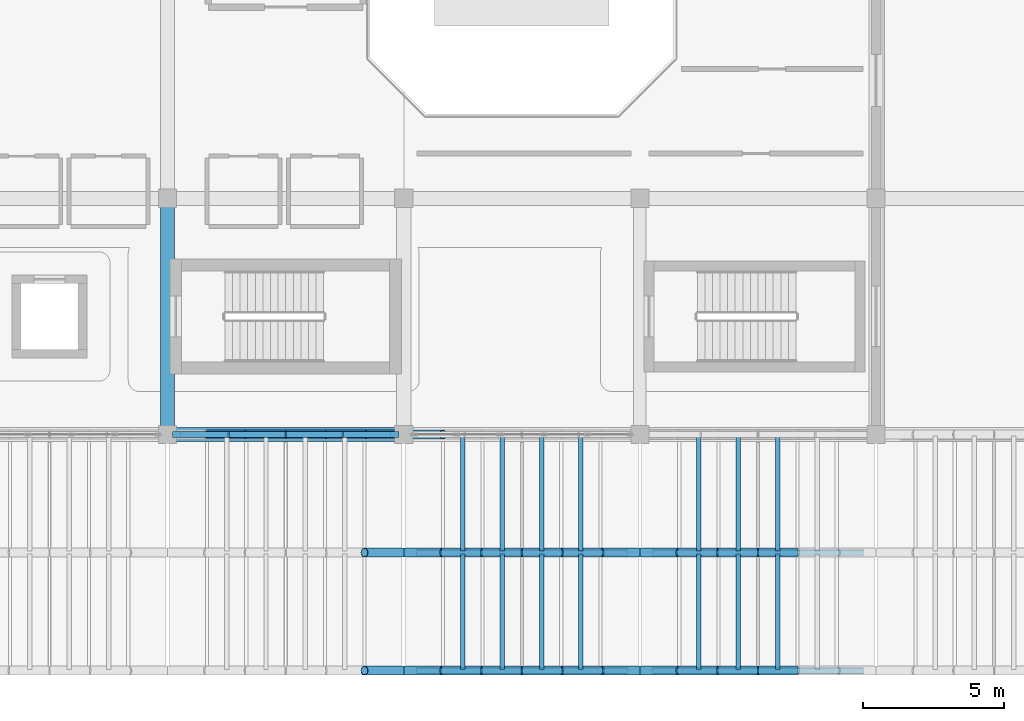
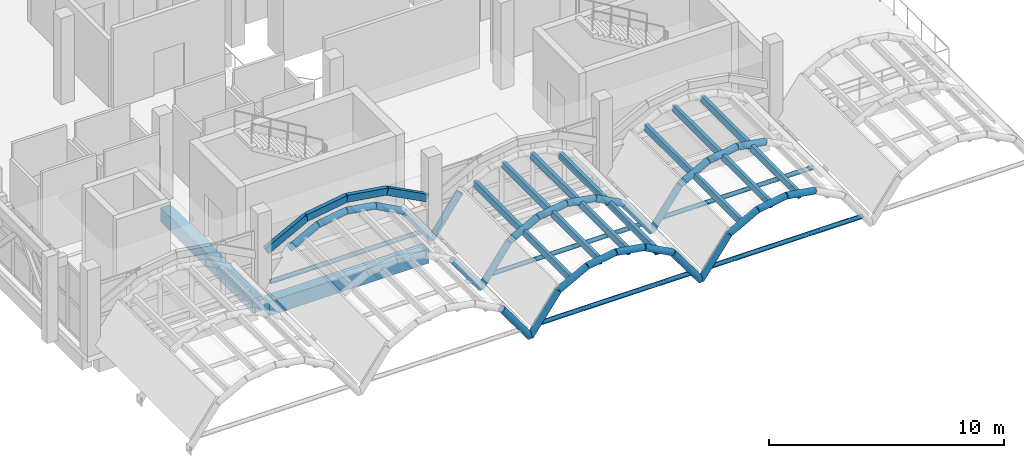
# One storey, part 3 of 22: 35 beams, 18 members.
"""IFC4 building model written with IfcOpenShell, lengths in metres."""

from ifc_helpers import new_model, si_unit, direction, frame, origin, origin_2d, place, context, subcontext, project, spatial, rectangle, hollow_circle, extrude, material, material_profile, profile_set, type_object, element, save


model = new_model("IFC4")

# Units and contexts
model_context = context("Model", 3, precision=1e-05, world=origin(), true_north=direction((0.0, 1.0)))
body_context = subcontext(model_context, "Body", "Model", "MODEL_VIEW")
ifc_project = project(units=[si_unit("LENGTHUNIT", "METRE"), si_unit("AREAUNIT", "SQUARE_METRE"), si_unit("VOLUMEUNIT", "CUBIC_METRE"), si_unit("PLANEANGLEUNIT", "RADIAN"), si_unit("MASSUNIT", "GRAM", prefix="KILO")], contexts=[model_context])

# Site, building, storey
site_placement = place(None, origin())
site = spatial("IfcSite", under=ifc_project, at=site_placement, CompositionType="ELEMENT")
building_placement = place(site_placement, origin())
building = spatial("IfcBuilding", under=site, at=building_placement, Name="Xazarin Passage Department Store", CompositionType="ELEMENT")
storey_placement = place(building_placement, frame((0.0, 0.0, 27.89990234375)))
storey = spatial("IfcBuildingStorey", under=building, at=storey_placement, Name="L06", CompositionType="ELEMENT", Elevation=27.89990234375)

# Beams
ifc_material_1 = material(Name="Steel S355", Category="steel")
ifc_material_profile_1 = material_profile(ifc_material_1, hollow_circle(Radius=0.161865234375, WallThickness=0.01611328125, at=origin_2d()), Name="CHS 323.9x16")
ifc_profile_set_1 = profile_set([ifc_material_profile_1], Name="Steel S355")
beam_type_1 = type_object("IfcBeamType", Name="STR-BM-AR324", PredefinedType="BEAM", material=ifc_profile_set_1)
for number, where, z_axis, x_axis, name in (
    (1, (15.39990234375, 68.0, 1.92041015625), (0.589130239798, 0.0, -0.808038093505), (0.0, 1.0, 0.0), "L06 V1S Curved Shell Arch Rib 2.1.6"),
    (2, (15.39990234375, 72.199951171875, 1.92041015625), (0.589130239798, 0.0, -0.808038093505), (0.0, 1.0, 0.0), "L06 V1S Curved Shell Arch Rib 2.2.6"),
):
    element("IfcBeam", number, at=place(storey_placement, frame(where, z_axis=z_axis, x_axis=x_axis)), inside=storey, type_object=beam_type_1, Name=name, PredefinedType="BEAM", context=body_context, shape_type="SweptSolid", body=[
        extrude(hollow_circle(Radius=0.161865234375, WallThickness=0.01611328125, at=origin_2d()), origin(), (0.0, 0.0, 1.0), 2.376708984375),
    ])
beam_1_placement = place(storey_placement, frame((9.800048828125, 76.39990234375, 1.92041015625), z_axis=(0.879928493742, 0.0, 0.475106141721), x_axis=(0.0, 1.0, 0.0)))
element("IfcBeam", 3, at=beam_1_placement, inside=storey, type_object=beam_type_1, Name="L06 V1S Curved Shell Arch Rib 2.3.2", PredefinedType="BEAM", context=body_context, shape_type="SweptSolid", body=[
    extrude(hollow_circle(Radius=0.161865234375, WallThickness=0.01611328125, at=origin_2d()), origin(), (0.0, 0.0, 1.0), 1.5908203125),
])
beam_2_placement = place(storey_placement, frame((11.199951171875, 76.39990234375, 2.67626953125), z_axis=(0.987456743544, 0.0, 0.157889770502), x_axis=(0.0, 1.0, 0.0)))
element("IfcBeam", 4, at=beam_2_placement, inside=storey, type_object=beam_type_1, Name="L06 V1S Curved Shell Arch Rib 2.3.3", PredefinedType="BEAM", context=body_context, shape_type="SweptSolid", body=[
    extrude(hollow_circle(Radius=0.161865234375, WallThickness=0.01611328125, at=origin_2d()), origin(), (0.0, 0.0, 1.0), 1.41796875),
])
beam_3_placement = place(storey_placement, frame((12.60009765625, 76.39990234375, 2.900146484375), z_axis=(0.987452450124, 0.0, -0.157916619596), x_axis=(0.0, 1.0, 0.0)))
element("IfcBeam", 5, at=beam_3_placement, inside=storey, type_object=beam_type_1, Name="L06 V1S Curved Shell Arch Rib 2.3.4", PredefinedType="BEAM", context=body_context, shape_type="SweptSolid", body=[
    extrude(hollow_circle(Radius=0.161865234375, WallThickness=0.01611328125, at=origin_2d()), origin(), (0.0, 0.0, 1.0), 1.417724609375),
])
beam_4_placement = place(storey_placement, frame((14.0, 76.39990234375, 2.67626953125), z_axis=(0.879928493742, 0.0, -0.475106141721), x_axis=(0.0, 1.0, 0.0)))
element("IfcBeam", 6, at=beam_4_placement, inside=storey, type_object=beam_type_1, Name="L06 V1S Curved Shell Arch Rib 2.3.5", PredefinedType="BEAM", context=body_context, shape_type="SweptSolid", body=[
    extrude(hollow_circle(Radius=0.161865234375, WallThickness=0.01611328125, at=origin_2d()), origin(), (0.0, 0.0, 1.0), 1.5908203125),
])
beam_5_placement = place(storey_placement, frame((15.39990234375, 76.39990234375, 1.92041015625), z_axis=(0.589130239798, 0.0, -0.808038093505), x_axis=(0.0, 1.0, 0.0)))
element("IfcBeam", 7, at=beam_5_placement, inside=storey, type_object=beam_type_1, Name="L06 V1S Curved Shell Arch Rib 2.3.6", PredefinedType="BEAM", context=body_context, shape_type="SweptSolid", body=[
    extrude(hollow_circle(Radius=0.161865234375, WallThickness=0.01611328125, at=origin_2d()), origin(), (0.0, 0.0, 1.0), 2.376708984375),
])
beam_6_placement = place(storey_placement, frame((16.800048828125, 68.0, 0.0), z_axis=(0.589063161662, 0.0, 0.808086995053), x_axis=(0.0, 1.0, 0.0)))
element("IfcBeam", 8, at=beam_6_placement, inside=storey, type_object=beam_type_1, Name="L06 V1S Curved Shell Arch Rib 3.1.1", PredefinedType="BEAM", context=body_context, shape_type="SweptSolid", body=[
    extrude(hollow_circle(Radius=0.161865234375, WallThickness=0.01611328125, at=origin_2d()), origin(), (0.0, 0.0, 1.0), 2.37646484375),
])
beam_7_placement = place(storey_placement, frame((18.199951171875, 68.0, 1.92041015625), z_axis=(0.879963126177, 0.0, 0.475041994532), x_axis=(0.0, 1.0, 0.0)))
element("IfcBeam", 9, at=beam_7_placement, inside=storey, type_object=beam_type_1, Name="L06 V1S Curved Shell Arch Rib 3.1.2", PredefinedType="BEAM", context=body_context, shape_type="SweptSolid", body=[
    extrude(hollow_circle(Radius=0.161865234375, WallThickness=0.01611328125, at=origin_2d()), origin(), (0.0, 0.0, 1.0), 1.591064453125),
])
for number, where, z_axis, x_axis, name in (
    (10, (19.60009765625, 68.0, 2.67626953125), (0.987452450124, 0.0, 0.157916619596), (0.0, 1.0, 0.0), "L06 V1S Curved Shell Arch Rib 3.1.3"),
    (11, (21.0, 68.0, 2.900146484375), (0.987452450124, 0.0, -0.157916619596), (0.0, 1.0, 0.0), "L06 V1S Curved Shell Arch Rib 3.1.4"),
):
    element("IfcBeam", number, at=place(storey_placement, frame(where, z_axis=z_axis, x_axis=x_axis)), inside=storey, type_object=beam_type_1, Name=name, PredefinedType="BEAM", context=body_context, shape_type="SweptSolid", body=[
        extrude(hollow_circle(Radius=0.161865234375, WallThickness=0.01611328125, at=origin_2d()), origin(), (0.0, 0.0, 1.0), 1.417724609375),
    ])
beam_8_placement = place(storey_placement, frame((22.39990234375, 68.0, 2.67626953125), z_axis=(0.879963126177, 0.0, -0.475041994532), x_axis=(0.0, 1.0, 0.0)))
element("IfcBeam", 12, at=beam_8_placement, inside=storey, type_object=beam_type_1, Name="L06 V1S Curved Shell Arch Rib 3.1.5", PredefinedType="BEAM", context=body_context, shape_type="SweptSolid", body=[
    extrude(hollow_circle(Radius=0.161865234375, WallThickness=0.01611328125, at=origin_2d()), origin(), (0.0, 0.0, 1.0), 1.591064453125),
])
for number, where, z_axis, x_axis, name in (
    (13, (23.800048828125, 68.0, 1.92041015625), (0.589063161662, 0.0, -0.808086995053), (0.0, 1.0, 0.0), "L06 V1S Curved Shell Arch Rib 3.1.6"),
    (14, (16.800048828125, 72.199951171875, 0.0), (0.589063161662, 0.0, 0.808086995053), (0.0, 1.0, 0.0), "L06 V1S Curved Shell Arch Rib 3.2.1"),
):
    element("IfcBeam", number, at=place(storey_placement, frame(where, z_axis=z_axis, x_axis=x_axis)), inside=storey, type_object=beam_type_1, Name=name, PredefinedType="BEAM", context=body_context, shape_type="SweptSolid", body=[
        extrude(hollow_circle(Radius=0.161865234375, WallThickness=0.01611328125, at=origin_2d()), origin(), (0.0, 0.0, 1.0), 2.37646484375),
    ])
beam_9_placement = place(storey_placement, frame((18.199951171875, 72.199951171875, 1.92041015625), z_axis=(0.879963126177, 0.0, 0.475041994532), x_axis=(0.0, 1.0, 0.0)))
element("IfcBeam", 15, at=beam_9_placement, inside=storey, type_object=beam_type_1, Name="L06 V1S Curved Shell Arch Rib 3.2.2", PredefinedType="BEAM", context=body_context, shape_type="SweptSolid", body=[
    extrude(hollow_circle(Radius=0.161865234375, WallThickness=0.01611328125, at=origin_2d()), origin(), (0.0, 0.0, 1.0), 1.591064453125),
])
for number, where, z_axis, x_axis, name in (
    (16, (19.60009765625, 72.199951171875, 2.67626953125), (0.987452450124, 0.0, 0.157916619596), (0.0, 1.0, 0.0), "L06 V1S Curved Shell Arch Rib 3.2.3"),
    (17, (21.0, 72.199951171875, 2.900146484375), (0.987452450124, 0.0, -0.157916619596), (0.0, 1.0, 0.0), "L06 V1S Curved Shell Arch Rib 3.2.4"),
):
    element("IfcBeam", number, at=place(storey_placement, frame(where, z_axis=z_axis, x_axis=x_axis)), inside=storey, type_object=beam_type_1, Name=name, PredefinedType="BEAM", context=body_context, shape_type="SweptSolid", body=[
        extrude(hollow_circle(Radius=0.161865234375, WallThickness=0.01611328125, at=origin_2d()), origin(), (0.0, 0.0, 1.0), 1.417724609375),
    ])
beam_10_placement = place(storey_placement, frame((22.39990234375, 72.199951171875, 2.67626953125), z_axis=(0.879963126177, 0.0, -0.475041994532), x_axis=(0.0, 1.0, 0.0)))
element("IfcBeam", 18, at=beam_10_placement, inside=storey, type_object=beam_type_1, Name="L06 V1S Curved Shell Arch Rib 3.2.5", PredefinedType="BEAM", context=body_context, shape_type="SweptSolid", body=[
    extrude(hollow_circle(Radius=0.161865234375, WallThickness=0.01611328125, at=origin_2d()), origin(), (0.0, 0.0, 1.0), 1.591064453125),
])
for number, where, z_axis, x_axis, name in (
    (19, (23.800048828125, 72.199951171875, 1.92041015625), (0.589063161662, 0.0, -0.808086995053), (0.0, 1.0, 0.0), "L06 V1S Curved Shell Arch Rib 3.2.6"),
    (20, (16.800048828125, 76.39990234375, 0.0), (0.589063161662, 0.0, 0.808086995053), (0.0, 1.0, 0.0), "L06 V1S Curved Shell Arch Rib 3.3.1"),
):
    element("IfcBeam", number, at=place(storey_placement, frame(where, z_axis=z_axis, x_axis=x_axis)), inside=storey, type_object=beam_type_1, Name=name, PredefinedType="BEAM", context=body_context, shape_type="SweptSolid", body=[
        extrude(hollow_circle(Radius=0.161865234375, WallThickness=0.01611328125, at=origin_2d()), origin(), (0.0, 0.0, 1.0), 2.37646484375),
    ])
beam_11_placement = place(storey_placement, frame((25.199951171875, 68.0, 0.0), z_axis=(0.589130239798, 0.0, 0.808038093505), x_axis=(0.0, 1.0, 0.0)))
element("IfcBeam", 21, at=beam_11_placement, inside=storey, type_object=beam_type_1, Name="L06 V1S Curved Shell Arch Rib 4.1.1", PredefinedType="BEAM", context=body_context, shape_type="SweptSolid", body=[
    extrude(hollow_circle(Radius=0.161865234375, WallThickness=0.01611328125, at=origin_2d()), origin(), (0.0, 0.0, 1.0), 2.376708984375),
])
beam_12_placement = place(storey_placement, frame((26.60009765625, 68.0, 1.92041015625), z_axis=(0.879928493742, 0.0, 0.475106141721), x_axis=(0.0, 1.0, 0.0)))
element("IfcBeam", 22, at=beam_12_placement, inside=storey, type_object=beam_type_1, Name="L06 V1S Curved Shell Arch Rib 4.1.2", PredefinedType="BEAM", context=body_context, shape_type="SweptSolid", body=[
    extrude(hollow_circle(Radius=0.161865234375, WallThickness=0.01611328125, at=origin_2d()), origin(), (0.0, 0.0, 1.0), 1.5908203125),
])
beam_13_placement = place(storey_placement, frame((28.0, 68.0, 2.67626953125), z_axis=(0.987452450124, 0.0, 0.157916619596), x_axis=(0.0, 1.0, 0.0)))
element("IfcBeam", 23, at=beam_13_placement, inside=storey, type_object=beam_type_1, Name="L06 V1S Curved Shell Arch Rib 4.1.3", PredefinedType="BEAM", context=body_context, shape_type="SweptSolid", body=[
    extrude(hollow_circle(Radius=0.161865234375, WallThickness=0.01611328125, at=origin_2d()), origin(), (0.0, 0.0, 1.0), 1.417724609375),
])
beam_14_placement = place(storey_placement, frame((29.39990234375, 68.0, 2.900146484375), z_axis=(0.987456743544, 0.0, -0.157889770502), x_axis=(0.0, 1.0, 0.0)))
element("IfcBeam", 24, at=beam_14_placement, inside=storey, type_object=beam_type_1, Name="L06 V1S Curved Shell Arch Rib 4.1.4", PredefinedType="BEAM", context=body_context, shape_type="SweptSolid", body=[
    extrude(hollow_circle(Radius=0.161865234375, WallThickness=0.01611328125, at=origin_2d()), origin(), (0.0, 0.0, 1.0), 1.41796875),
])
beam_15_placement = place(storey_placement, frame((25.199951171875, 72.199951171875, 0.0), z_axis=(0.589130239798, 0.0, 0.808038093505), x_axis=(0.0, 1.0, 0.0)))
element("IfcBeam", 25, at=beam_15_placement, inside=storey, type_object=beam_type_1, Name="L06 V1S Curved Shell Arch Rib 4.2.1", PredefinedType="BEAM", context=body_context, shape_type="SweptSolid", body=[
    extrude(hollow_circle(Radius=0.161865234375, WallThickness=0.01611328125, at=origin_2d()), origin(), (0.0, 0.0, 1.0), 2.376708984375),
])
beam_16_placement = place(storey_placement, frame((26.60009765625, 72.199951171875, 1.92041015625), z_axis=(0.879928493742, 0.0, 0.475106141721), x_axis=(0.0, 1.0, 0.0)))
element("IfcBeam", 26, at=beam_16_placement, inside=storey, type_object=beam_type_1, Name="L06 V1S Curved Shell Arch Rib 4.2.2", PredefinedType="BEAM", context=body_context, shape_type="SweptSolid", body=[
    extrude(hollow_circle(Radius=0.161865234375, WallThickness=0.01611328125, at=origin_2d()), origin(), (0.0, 0.0, 1.0), 1.5908203125),
])
beam_17_placement = place(storey_placement, frame((28.0, 72.199951171875, 2.67626953125), z_axis=(0.987452450124, 0.0, 0.157916619596), x_axis=(0.0, 1.0, 0.0)))
element("IfcBeam", 27, at=beam_17_placement, inside=storey, type_object=beam_type_1, Name="L06 V1S Curved Shell Arch Rib 4.2.3", PredefinedType="BEAM", context=body_context, shape_type="SweptSolid", body=[
    extrude(hollow_circle(Radius=0.161865234375, WallThickness=0.01611328125, at=origin_2d()), origin(), (0.0, 0.0, 1.0), 1.417724609375),
])
beam_18_placement = place(storey_placement, frame((29.39990234375, 72.199951171875, 2.900146484375), z_axis=(0.987456743544, 0.0, -0.157889770502), x_axis=(0.0, 1.0, 0.0)))
element("IfcBeam", 28, at=beam_18_placement, inside=storey, type_object=beam_type_1, Name="L06 V1S Curved Shell Arch Rib 4.2.4", PredefinedType="BEAM", context=body_context, shape_type="SweptSolid", body=[
    extrude(hollow_circle(Radius=0.161865234375, WallThickness=0.01611328125, at=origin_2d()), origin(), (0.0, 0.0, 1.0), 1.41796875),
])
ifc_material_2 = material(Name="Concrete C35/45", Category="concrete")
ifc_material_profile_2 = material_profile(ifc_material_2, rectangle(XDim=0.5, YDim=0.75, at=origin_2d()), Name="RC 500x750")
ifc_profile_set_2 = profile_set([ifc_material_profile_2], Name="Concrete C35/45")
beam_type_2 = type_object("IfcBeamType", Name="STR-BM-SP500x750", PredefinedType="SPANDREL", material=ifc_profile_set_2)
for number, where, z_axis, x_axis, name in (
    (29, (8.679931640625, 76.39990234375, -0.6748046875), (1.0, 0.0, 0.0), (0.0, 1.0, 0.0), "L06 Grid Beam L/2-3"),
    (30, (8.39990234375, 76.679931640625, -0.6748046875), (0.0, 1.0, 0.0), (-1.0, 0.0, 0.0), "L06 Grid Beam 2/L-M"),
):
    element("IfcBeam", number, at=place(storey_placement, frame(where, z_axis=z_axis, x_axis=x_axis)), inside=storey, type_object=beam_type_2, Name=name, PredefinedType="SPANDREL", context=body_context, shape_type="SweptSolid", body=[
        extrude(rectangle(XDim=0.5, YDim=0.75, at=origin_2d()), origin(), (0.0, 0.0, 1.0), 7.840087890625),
    ])
ifc_material_profile_3 = material_profile(ifc_material_1, hollow_circle(Radius=0.109619140625, WallThickness=0.012451171875, at=origin_2d()), Name="CHS 219.1x12.5")
ifc_profile_set_3 = profile_set([ifc_material_profile_3], Name="Steel S355")
beam_type_3 = type_object("IfcBeamType", Name="STR-BM-TIE219", PredefinedType="BEAM", material=ifc_profile_set_3)
for number, where, z_axis, x_axis, name in (
    (31, (8.85009765625, 76.39990234375, 0.52001953125), (1.0, 0.0, 0.0), (0.0, 1.0, 0.0), "L06 V1S Barrel Shell Tie 2.3"),
    (32, (17.25, 68.0, 0.52001953125), (1.0, 0.0, 0.0), (0.0, 1.0, 0.0), "L06 V1S Barrel Shell Tie 3.1"),
    (33, (17.25, 72.199951171875, 0.52001953125), (1.0, 0.0, 0.0), (0.0, 1.0, 0.0), "L06 V1S Barrel Shell Tie 3.2"),
    (34, (25.64990234375, 68.0, 0.52001953125), (1.0, 0.0, 0.0), (0.0, 1.0, 0.0), "L06 V1S Barrel Shell Tie 4.1"),
    (35, (25.64990234375, 72.199951171875, 0.52001953125), (1.0, 0.0, 0.0), (0.0, 1.0, 0.0), "L06 V1S Barrel Shell Tie 4.2"),
):
    element("IfcBeam", number, at=place(storey_placement, frame(where, z_axis=z_axis, x_axis=x_axis)), inside=storey, type_object=beam_type_3, Name=name, PredefinedType="BEAM", context=body_context, shape_type="SweptSolid", body=[
        extrude(hollow_circle(Radius=0.109619140625, WallThickness=0.012451171875, at=origin_2d()), origin(), (0.0, 0.0, 1.0), 7.5),
    ])

# Members
ifc_material_3 = material(Name="Concrete C40/50", Category="concrete")
ifc_material_profile_4 = material_profile(ifc_material_3, rectangle(XDim=0.199951171875, YDim=0.360107421875, at=origin_2d()), Name="RC 200x360")
ifc_profile_set_4 = profile_set([ifc_material_profile_4], Name="Concrete C40/50")
member_type_1 = type_object("IfcMemberType", Name="STR-MEM-ARC360", PredefinedType="CHORD", material=ifc_profile_set_4)
member_1_placement = place(storey_placement, frame((8.64990234375, 76.39990234375, 2.22998046875), z_axis=(0.88473311603, 0.0, 0.466097965454), x_axis=(0.0, 1.0, 0.0)))
element("IfcMember", 36, at=member_1_placement, inside=storey, type_object=member_type_1, Name="L06 V1 Upper Setback Pierced Arch 038.1", PredefinedType="CHORD", context=body_context, shape_type="SweptSolid", body=[
    extrude(rectangle(XDim=0.199951171875, YDim=0.360107421875, at=origin_2d()), origin(), (0.0, 0.0, 1.0), 2.232421875),
])
member_2_placement = place(storey_placement, frame((10.625, 76.39990234375, 3.2705078125), z_axis=(0.987938581312, 0.0, 0.154846244883), x_axis=(0.0, 1.0, 0.0)))
element("IfcMember", 37, at=member_2_placement, inside=storey, type_object=member_type_1, Name="L06 V1 Upper Setback Pierced Arch 038.2", PredefinedType="CHORD", context=body_context, shape_type="SweptSolid", body=[
    extrude(rectangle(XDim=0.199951171875, YDim=0.360107421875, at=origin_2d()), origin(), (0.0, 0.0, 1.0), 1.999267578125),
])
member_3_placement = place(storey_placement, frame((12.60009765625, 76.39990234375, 3.580078125), z_axis=(0.987935652704, 0.0, -0.154864928623), x_axis=(0.0, 1.0, 0.0)))
element("IfcMember", 38, at=member_3_placement, inside=storey, type_object=member_type_1, Name="L06 V1 Upper Setback Pierced Arch 038.3", PredefinedType="CHORD", context=body_context, shape_type="SweptSolid", body=[
    extrude(rectangle(XDim=0.199951171875, YDim=0.360107421875, at=origin_2d()), origin(), (0.0, 0.0, 1.0), 1.9990234375),
])
member_4_placement = place(storey_placement, frame((14.574951171875, 76.39990234375, 3.2705078125), z_axis=(0.88473311603, 0.0, -0.466097965454), x_axis=(0.0, 1.0, 0.0)))
element("IfcMember", 39, at=member_4_placement, inside=storey, type_object=member_type_1, Name="L06 V1 Upper Setback Pierced Arch 038.4", PredefinedType="CHORD", context=body_context, shape_type="SweptSolid", body=[
    extrude(rectangle(XDim=0.199951171875, YDim=0.360107421875, at=origin_2d()), origin(), (0.0, 0.0, 1.0), 2.232421875),
])
ifc_material_4 = material(Name="Glulam GL28h", Category="wood")
ifc_material_profile_5 = material_profile(ifc_material_4, rectangle(XDim=0.159912109375, YDim=0.360107421875, at=origin_2d()), Name="GL28h 160x360")
ifc_profile_set_5 = profile_set([ifc_material_profile_5], Name="Glulam GL28h")
member_type_2 = type_object("IfcMemberType", Name="STR-MEM-GL360", PredefinedType="PURLIN", material=ifc_profile_set_5)
member_5_placement = place(storey_placement, frame((18.89990234375, 68.050048828125, 2.178466796875), z_axis=(0.0, 1.0, 0.0), x_axis=(-1.0, 0.0, 0.0)))
element("IfcMember", 40, at=member_5_placement, inside=storey, type_object=member_type_2, Name="L06 V1S Barrel Shell Purlin 3.2.1", PredefinedType="PURLIN", context=body_context, shape_type="SweptSolid", body=[
    extrude(rectangle(XDim=0.159912109375, YDim=0.360107421875, at=origin_2d()), origin(), (0.0, 0.0, 1.0), 4.099853515625),
])
member_6_placement = place(storey_placement, frame((18.89990234375, 72.25, 2.178466796875), z_axis=(0.0, 1.0, 0.0), x_axis=(-1.0, 0.0, 0.0)))
element("IfcMember", 41, at=member_6_placement, inside=storey, type_object=member_type_2, Name="L06 V1S Barrel Shell Purlin 3.2.2", PredefinedType="PURLIN", context=body_context, shape_type="SweptSolid", body=[
    extrude(rectangle(XDim=0.159912109375, YDim=0.360107421875, at=origin_2d()), origin(), (0.0, 0.0, 1.0), 4.10009765625),
])
member_7_placement = place(storey_placement, frame((20.300048828125, 68.050048828125, 2.668212890625), z_axis=(0.0, 1.0, 0.0), x_axis=(-1.0, 0.0, 0.0)))
element("IfcMember", 42, at=member_7_placement, inside=storey, type_object=member_type_2, Name="L06 V1S Barrel Shell Purlin 3.3.1", PredefinedType="PURLIN", context=body_context, shape_type="SweptSolid", body=[
    extrude(rectangle(XDim=0.159912109375, YDim=0.360107421875, at=origin_2d()), origin(), (0.0, 0.0, 1.0), 4.099853515625),
])
member_8_placement = place(storey_placement, frame((20.300048828125, 72.25, 2.668212890625), z_axis=(0.0, 1.0, 0.0), x_axis=(-1.0, 0.0, 0.0)))
element("IfcMember", 43, at=member_8_placement, inside=storey, type_object=member_type_2, Name="L06 V1S Barrel Shell Purlin 3.3.2", PredefinedType="PURLIN", context=body_context, shape_type="SweptSolid", body=[
    extrude(rectangle(XDim=0.159912109375, YDim=0.360107421875, at=origin_2d()), origin(), (0.0, 0.0, 1.0), 4.10009765625),
])
member_9_placement = place(storey_placement, frame((21.699951171875, 68.050048828125, 2.668212890625), z_axis=(0.0, 1.0, 0.0), x_axis=(-1.0, 0.0, 0.0)))
element("IfcMember", 44, at=member_9_placement, inside=storey, type_object=member_type_2, Name="L06 V1S Barrel Shell Purlin 3.4.1", PredefinedType="PURLIN", context=body_context, shape_type="SweptSolid", body=[
    extrude(rectangle(XDim=0.159912109375, YDim=0.360107421875, at=origin_2d()), origin(), (0.0, 0.0, 1.0), 4.099853515625),
])
member_10_placement = place(storey_placement, frame((21.699951171875, 72.25, 2.668212890625), z_axis=(0.0, 1.0, 0.0), x_axis=(-1.0, 0.0, 0.0)))
element("IfcMember", 45, at=member_10_placement, inside=storey, type_object=member_type_2, Name="L06 V1S Barrel Shell Purlin 3.4.2", PredefinedType="PURLIN", context=body_context, shape_type="SweptSolid", body=[
    extrude(rectangle(XDim=0.159912109375, YDim=0.360107421875, at=origin_2d()), origin(), (0.0, 0.0, 1.0), 4.10009765625),
])
member_11_placement = place(storey_placement, frame((23.10009765625, 68.050048828125, 2.178466796875), z_axis=(0.0, 1.0, 0.0), x_axis=(-1.0, 0.0, 0.0)))
element("IfcMember", 46, at=member_11_placement, inside=storey, type_object=member_type_2, Name="L06 V1S Barrel Shell Purlin 3.5.1", PredefinedType="PURLIN", context=body_context, shape_type="SweptSolid", body=[
    extrude(rectangle(XDim=0.159912109375, YDim=0.360107421875, at=origin_2d()), origin(), (0.0, 0.0, 1.0), 4.099853515625),
])
member_12_placement = place(storey_placement, frame((23.10009765625, 72.25, 2.178466796875), z_axis=(0.0, 1.0, 0.0), x_axis=(-1.0, 0.0, 0.0)))
element("IfcMember", 47, at=member_12_placement, inside=storey, type_object=member_type_2, Name="L06 V1S Barrel Shell Purlin 3.5.2", PredefinedType="PURLIN", context=body_context, shape_type="SweptSolid", body=[
    extrude(rectangle(XDim=0.159912109375, YDim=0.360107421875, at=origin_2d()), origin(), (0.0, 0.0, 1.0), 4.10009765625),
])
member_13_placement = place(storey_placement, frame((27.300048828125, 68.050048828125, 2.178466796875), z_axis=(0.0, 1.0, 0.0), x_axis=(-1.0, 0.0, 0.0)))
element("IfcMember", 48, at=member_13_placement, inside=storey, type_object=member_type_2, Name="L06 V1S Barrel Shell Purlin 4.2.1", PredefinedType="PURLIN", context=body_context, shape_type="SweptSolid", body=[
    extrude(rectangle(XDim=0.159912109375, YDim=0.360107421875, at=origin_2d()), origin(), (0.0, 0.0, 1.0), 4.099853515625),
])
member_14_placement = place(storey_placement, frame((27.300048828125, 72.25, 2.178466796875), z_axis=(0.0, 1.0, 0.0), x_axis=(-1.0, 0.0, 0.0)))
element("IfcMember", 49, at=member_14_placement, inside=storey, type_object=member_type_2, Name="L06 V1S Barrel Shell Purlin 4.2.2", PredefinedType="PURLIN", context=body_context, shape_type="SweptSolid", body=[
    extrude(rectangle(XDim=0.159912109375, YDim=0.360107421875, at=origin_2d()), origin(), (0.0, 0.0, 1.0), 4.10009765625),
])
member_15_placement = place(storey_placement, frame((28.699951171875, 68.050048828125, 2.668212890625), z_axis=(0.0, 1.0, 0.0), x_axis=(-1.0, 0.0, 0.0)))
element("IfcMember", 50, at=member_15_placement, inside=storey, type_object=member_type_2, Name="L06 V1S Barrel Shell Purlin 4.3.1", PredefinedType="PURLIN", context=body_context, shape_type="SweptSolid", body=[
    extrude(rectangle(XDim=0.159912109375, YDim=0.360107421875, at=origin_2d()), origin(), (0.0, 0.0, 1.0), 4.099853515625),
])
member_16_placement = place(storey_placement, frame((28.699951171875, 72.25, 2.668212890625), z_axis=(0.0, 1.0, 0.0), x_axis=(-1.0, 0.0, 0.0)))
element("IfcMember", 51, at=member_16_placement, inside=storey, type_object=member_type_2, Name="L06 V1S Barrel Shell Purlin 4.3.2", PredefinedType="PURLIN", context=body_context, shape_type="SweptSolid", body=[
    extrude(rectangle(XDim=0.159912109375, YDim=0.360107421875, at=origin_2d()), origin(), (0.0, 0.0, 1.0), 4.10009765625),
])
member_17_placement = place(storey_placement, frame((30.10009765625, 68.050048828125, 2.668212890625), z_axis=(0.0, 1.0, 0.0), x_axis=(-1.0, 0.0, 0.0)))
element("IfcMember", 52, at=member_17_placement, inside=storey, type_object=member_type_2, Name="L06 V1S Barrel Shell Purlin 4.4.1", PredefinedType="PURLIN", context=body_context, shape_type="SweptSolid", body=[
    extrude(rectangle(XDim=0.159912109375, YDim=0.360107421875, at=origin_2d()), origin(), (0.0, 0.0, 1.0), 4.099853515625),
])
member_18_placement = place(storey_placement, frame((30.10009765625, 72.25, 2.668212890625), z_axis=(0.0, 1.0, 0.0), x_axis=(-1.0, 0.0, 0.0)))
element("IfcMember", 53, at=member_18_placement, inside=storey, type_object=member_type_2, Name="L06 V1S Barrel Shell Purlin 4.4.2", PredefinedType="PURLIN", context=body_context, shape_type="SweptSolid", body=[
    extrude(rectangle(XDim=0.159912109375, YDim=0.360107421875, at=origin_2d()), origin(), (0.0, 0.0, 1.0), 4.10009765625),
])

save(model, "model.ifc")
